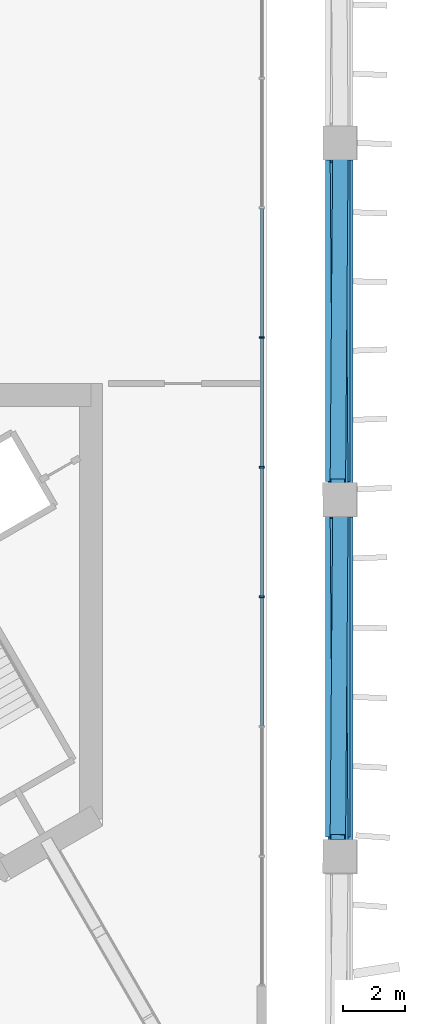
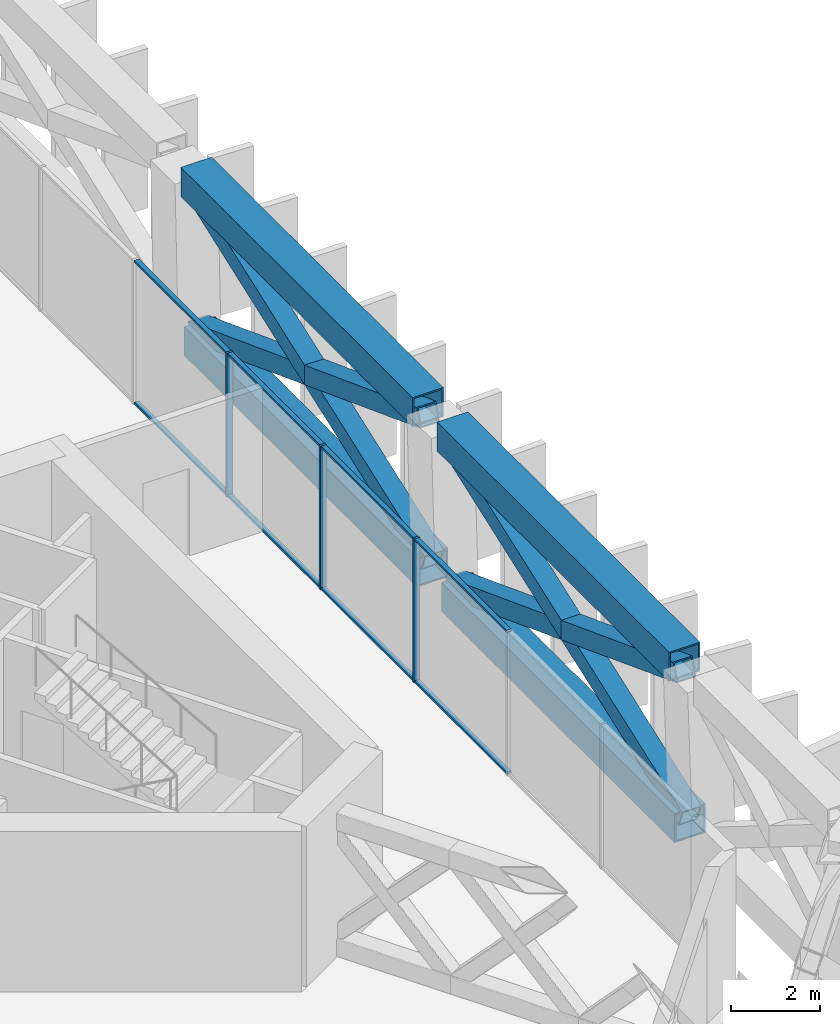
# One storey, part 5 of 17: 19 members, 1 element without a shape of its own.
"""IFC4 building model written with IfcOpenShell, lengths in metres."""

from ifc_helpers import new_model, si_unit, direction, frame, origin, origin_2d, place, context, subcontext, project, spatial, rectangle, hollow_rectangle, extrude, material, layer, layer_set, material_profile, profile_set, type_object, element, aggregate, save


model = new_model("IFC4")

# Units and contexts
model_context = context("Model", 3, precision=1e-05, world=origin(), true_north=direction((0.0, 1.0)))
body_context = subcontext(model_context, "Body", "Model", "MODEL_VIEW")
ifc_project = project(units=[si_unit("LENGTHUNIT", "METRE"), si_unit("AREAUNIT", "SQUARE_METRE"), si_unit("VOLUMEUNIT", "CUBIC_METRE"), si_unit("PLANEANGLEUNIT", "RADIAN"), si_unit("MASSUNIT", "GRAM", prefix="KILO")], contexts=[model_context])

# Site, building, storey
site_placement = place(None, origin())
site = spatial("IfcSite", under=ifc_project, at=site_placement, CompositionType="ELEMENT")
building_placement = place(site_placement, origin())
building = spatial("IfcBuilding", under=site, at=building_placement, Name="Jabali Bay Hotel Tower and Convention Centre", CompositionType="ELEMENT")
storey_placement = place(building_placement, frame((0.0, 0.0, 102.39990234375)))
storey = spatial("IfcBuildingStorey", under=building, at=storey_placement, Name="L24", CompositionType="ELEMENT", Elevation=102.39990234375)

# Members
ifc_material_1 = material(Name="Steel Q420GJC", Category="steel")
ifc_material_profile_1 = material_profile(ifc_material_1, hollow_rectangle(XDim=0.5, YDim=0.5, WallThickness=0.030029296875, at=origin_2d()), Name="Belt brace 500x500x30")
ifc_profile_set_1 = profile_set([ifc_material_profile_1], Name="Steel Q420GJC")
member_type_1 = type_object("IfcMemberType", Name="Belt brace 500x500x30", PredefinedType="BRACE", material=ifc_profile_set_1)
member_1_placement = place(storey_placement, frame((97.584228515625, 57.4140625, 0.20849609375), z_axis=(-0.007165069022, 0.935128356662, 0.35423666997), x_axis=(-0.999970647224, -0.007661898665, 0.0)))
element("IfcMember", 1, at=member_1_placement, inside=storey, type_object=member_type_1, Name="Belt brace T2 F0.1-F0.2 x1", PredefinedType="BRACE", context=body_context, shape_type="SweptSolid", body=[
    extrude(hollow_rectangle(XDim=0.5, YDim=0.5, WallThickness=0.030029296875, at=origin_2d()), origin(), (0.0, 0.0, 1.0), 11.244384765625),
])
member_2_placement = place(storey_placement, frame((97.583984375, 67.882080078125, 0.2109375), z_axis=(-0.007229101466, -0.933674709677, 0.358049265607), x_axis=(0.999970027158, -0.007742401839, 0.0)))
element("IfcMember", 2, at=member_2_placement, inside=storey, type_object=member_type_1, Name="Belt brace T2 F0.1-F0.2 x2", PredefinedType="BRACE", context=body_context, shape_type="SweptSolid", body=[
    extrude(hollow_rectangle(XDim=0.5, YDim=0.5, WallThickness=0.030029296875, at=origin_2d()), origin(), (0.0, 0.0, 1.0), 11.11083984375),
])
member_3_placement = place(storey_placement, frame((97.583984375, 68.98193359375, 0.209228515625), z_axis=(-0.00717163959, 0.934645564439, 0.355508419676), x_axis=(-0.99997056298, -0.007672885585, 0.0)))
element("IfcMember", 3, at=member_3_placement, inside=storey, type_object=member_type_1, Name="Belt brace T2 F0.2-F0.3 x1", PredefinedType="BRACE", context=body_context, shape_type="SweptSolid", body=[
    extrude(hollow_rectangle(XDim=0.5, YDim=0.5, WallThickness=0.030029296875, at=origin_2d()), origin(), (0.0, 0.0, 1.0), 11.199951171875),
])
member_4_placement = place(storey_placement, frame((97.583984375, 79.449951171875, 0.210205078125), z_axis=(-0.007200392372, -0.934168838895, 0.356758650614), x_axis=(0.999970296185, -0.007707577252, 0.0)))
element("IfcMember", 4, at=member_4_placement, inside=storey, type_object=member_type_1, Name="Belt brace T2 F0.2-F0.3 x2", PredefinedType="BRACE", context=body_context, shape_type="SweptSolid", body=[
    extrude(hollow_rectangle(XDim=0.5, YDim=0.5, WallThickness=0.030029296875, at=origin_2d()), origin(), (0.0, 0.0, 1.0), 11.1552734375),
])
ifc_material_profile_2 = material_profile(ifc_material_1, hollow_rectangle(XDim=0.800048828125, YDim=0.800048828125, WallThickness=0.0400390625, at=origin_2d()), Name="Belt chord 800x800x40")
ifc_profile_set_2 = profile_set([ifc_material_profile_2], Name="Steel Q420GJC")
member_type_2 = type_object("IfcMemberType", Name="Belt chord 800x800x40", PredefinedType="CHORD", material=ifc_profile_set_2)
member_5_placement = place(storey_placement, frame((97.58837890625, 57.4140625, 0.0), z_axis=(0.0, 1.0, 0.0), x_axis=(-1.0, 0.0, 0.0)))
element("IfcMember", 5, at=member_5_placement, inside=storey, type_object=member_type_2, Name="Belt chord T2 F0.1-F0.2", PredefinedType="CHORD", context=body_context, shape_type="SweptSolid", body=[
    extrude(hollow_rectangle(XDim=0.800048828125, YDim=0.800048828125, WallThickness=0.0400390625, at=origin_2d()), origin(), (0.0, 0.0, 1.0), 10.468017578125),
])
member_6_placement = place(storey_placement, frame((97.58837890625, 68.982177734375, 0.0), z_axis=(0.0, 1.0, 0.0), x_axis=(-1.0, 0.0, 0.0)))
element("IfcMember", 6, at=member_6_placement, inside=storey, type_object=member_type_2, Name="Belt chord T2 F0.2-F0.3", PredefinedType="CHORD", context=body_context, shape_type="SweptSolid", body=[
    extrude(hollow_rectangle(XDim=0.800048828125, YDim=0.800048828125, WallThickness=0.0400390625, at=origin_2d()), origin(), (0.0, 0.0, 1.0), 10.4677734375),
])
for number, where, z_axis, x_axis, name in (
    (7, (97.49951171875, 57.508056640625, 4.400146484375), (0.0, 1.0, 0.0), (-1.0, 0.0, 0.0), "Belt chord T2 F0.1-F0.2"),
    (8, (97.49951171875, 69.029052734375, 4.400146484375), (0.0, 1.0, 0.0), (-1.0, 0.0, 0.0), "Belt chord T2 F0.2-F0.3"),
):
    element("IfcMember", number, at=place(storey_placement, frame(where, z_axis=z_axis, x_axis=x_axis)), inside=storey, type_object=member_type_2, Name=name, PredefinedType="CHORD", context=body_context, shape_type="SweptSolid", body=[
        extrude(hollow_rectangle(XDim=0.800048828125, YDim=0.800048828125, WallThickness=0.0400390625, at=origin_2d()), origin(), (0.0, 0.0, 1.0), 10.4208984375),
    ])

# Curtain wall, members
ifc_material_2 = material(Name="Aluminium and glass", Category="aluminium")
ifc_layer = layer(ifc_material_2, 0.159912109375)
ifc_layer_set = layer_set([ifc_layer], Name="Aluminium and glass")
curtain_wall_type = type_object("IfcCurtainWallType", Name="CW3 curtain wall", PredefinedType="NOTDEFINED", material=ifc_layer_set)
curtain_wall_placement = place(storey_placement, origin())
curtain_wall = element("IfcCurtainWall", 9, at=curtain_wall_placement, inside=storey, type_object=curtain_wall_type, Name="CW3 curtain wall east face L24", PredefinedType="NOTDEFINED")
ifc_material_3 = material(Name="Aluminium", Category="aluminium")
ifc_material_profile_3 = material_profile(ifc_material_3, rectangle(XDim=0.159912109375, YDim=0.06005859375, at=origin_2d()), Name="CW3 mullion 60 x 160")
ifc_profile_set_3 = profile_set([ifc_material_profile_3], Name="Aluminium")
member_type_3 = type_object("IfcMemberType", Name="CW3 mullion 60 x 160", PredefinedType="MULLION", material=ifc_profile_set_3)
member_7_placement = place(storey_placement, frame((95.038330078125, 73.697509765625, 0.0), z_axis=(0.0, 0.0, 1.0), x_axis=(1.0, 0.0, 0.0)))
member_7 = element("IfcMember", 10, at=member_7_placement, type_object=member_type_3, Name="CW3 mullion 9", PredefinedType="MULLION", context=body_context, shape_type="SweptSolid", body=[
    extrude(rectangle(XDim=0.159912109375, YDim=0.06005859375, at=origin_2d()), origin(), (0.0, 0.0, 1.0), 3.9501953125),
])
member_8_placement = place(storey_placement, frame((95.038330078125, 69.49560546875, 0.0), z_axis=(0.0, 0.0, 1.0), x_axis=(1.0, 0.0, 0.0)))
member_8 = element("IfcMember", 11, at=member_8_placement, type_object=member_type_3, Name="CW3 mullion 10", PredefinedType="MULLION", context=body_context, shape_type="SweptSolid", body=[
    extrude(rectangle(XDim=0.159912109375, YDim=0.06005859375, at=origin_2d()), origin(), (0.0, 0.0, 1.0), 3.9501953125),
])
member_9_placement = place(storey_placement, frame((95.038330078125, 65.2939453125, 0.0), z_axis=(0.0, 0.0, 1.0), x_axis=(1.0, 0.0, 0.0)))
member_9 = element("IfcMember", 12, at=member_9_placement, type_object=member_type_3, Name="CW3 mullion 11", PredefinedType="MULLION", context=body_context, shape_type="SweptSolid", body=[
    extrude(rectangle(XDim=0.159912109375, YDim=0.06005859375, at=origin_2d()), origin(), (0.0, 0.0, 1.0), 3.9501953125),
])
ifc_material_profile_4 = material_profile(ifc_material_3, rectangle(XDim=0.1201171875, YDim=0.06005859375, at=origin_2d()), Name="CW3 transom 60 x 120")
ifc_profile_set_4 = profile_set([ifc_material_profile_4], Name="Aluminium")
member_type_4 = type_object("IfcMemberType", Name="CW3 transom 60 x 120", PredefinedType="USERDEFINED", material=ifc_profile_set_4)
member_10_placement = place(storey_placement, frame((95.038330078125, 77.869140625, 0.030029296875), z_axis=(0.0, -1.0, 0.0), x_axis=(1.0, 0.0, 0.0)))
member_10 = element("IfcMember", 13, at=member_10_placement, type_object=member_type_4, Name="CW3 transom 8.1", ObjectType="TRANSOM", PredefinedType="USERDEFINED", context=body_context, shape_type="SweptSolid", body=[
    extrude(rectangle(XDim=0.1201171875, YDim=0.06005859375, at=origin_2d()), origin(), (0.0, 0.0, 1.0), 4.141845703125),
])
member_11_placement = place(storey_placement, frame((95.038330078125, 77.869140625, 3.920166015625), z_axis=(0.0, -1.0, 0.0), x_axis=(1.0, 0.0, 0.0)))
member_11 = element("IfcMember", 14, at=member_11_placement, type_object=member_type_4, Name="CW3 transom 8.2", ObjectType="TRANSOM", PredefinedType="USERDEFINED", context=body_context, shape_type="SweptSolid", body=[
    extrude(rectangle(XDim=0.1201171875, YDim=0.06005859375, at=origin_2d()), origin(), (0.0, 0.0, 1.0), 4.141845703125),
])
member_12_placement = place(storey_placement, frame((95.038330078125, 73.66748046875, 0.030029296875), z_axis=(0.0, -1.0, 0.0), x_axis=(1.0, 0.0, 0.0)))
member_12 = element("IfcMember", 15, at=member_12_placement, type_object=member_type_4, Name="CW3 transom 9.1", ObjectType="TRANSOM", PredefinedType="USERDEFINED", context=body_context, shape_type="SweptSolid", body=[
    extrude(rectangle(XDim=0.1201171875, YDim=0.06005859375, at=origin_2d()), origin(), (0.0, 0.0, 1.0), 4.141845703125),
])
member_13_placement = place(storey_placement, frame((95.038330078125, 73.66748046875, 3.920166015625), z_axis=(0.0, -1.0, 0.0), x_axis=(1.0, 0.0, 0.0)))
member_13 = element("IfcMember", 16, at=member_13_placement, type_object=member_type_4, Name="CW3 transom 9.2", ObjectType="TRANSOM", PredefinedType="USERDEFINED", context=body_context, shape_type="SweptSolid", body=[
    extrude(rectangle(XDim=0.1201171875, YDim=0.06005859375, at=origin_2d()), origin(), (0.0, 0.0, 1.0), 4.141845703125),
])
member_14_placement = place(storey_placement, frame((95.038330078125, 69.465576171875, 0.030029296875), z_axis=(0.0, -1.0, 0.0), x_axis=(1.0, 0.0, 0.0)))
member_14 = element("IfcMember", 17, at=member_14_placement, type_object=member_type_4, Name="CW3 transom 10.1", ObjectType="TRANSOM", PredefinedType="USERDEFINED", context=body_context, shape_type="SweptSolid", body=[
    extrude(rectangle(XDim=0.1201171875, YDim=0.06005859375, at=origin_2d()), origin(), (0.0, 0.0, 1.0), 4.1416015625),
])
member_15_placement = place(storey_placement, frame((95.038330078125, 69.465576171875, 3.920166015625), z_axis=(0.0, -1.0, 0.0), x_axis=(1.0, 0.0, 0.0)))
member_15 = element("IfcMember", 18, at=member_15_placement, type_object=member_type_4, Name="CW3 transom 10.2", ObjectType="TRANSOM", PredefinedType="USERDEFINED", context=body_context, shape_type="SweptSolid", body=[
    extrude(rectangle(XDim=0.1201171875, YDim=0.06005859375, at=origin_2d()), origin(), (0.0, 0.0, 1.0), 4.1416015625),
])
member_16_placement = place(storey_placement, frame((95.038330078125, 65.263916015625, 0.030029296875), z_axis=(0.0, -1.0, 0.0), x_axis=(1.0, 0.0, 0.0)))
member_16 = element("IfcMember", 19, at=member_16_placement, type_object=member_type_4, Name="CW3 transom 11.1", ObjectType="TRANSOM", PredefinedType="USERDEFINED", context=body_context, shape_type="SweptSolid", body=[
    extrude(rectangle(XDim=0.1201171875, YDim=0.06005859375, at=origin_2d()), origin(), (0.0, 0.0, 1.0), 4.1416015625),
])
member_17_placement = place(storey_placement, frame((95.038330078125, 65.263916015625, 3.920166015625), z_axis=(0.0, -1.0, 0.0), x_axis=(1.0, 0.0, 0.0)))
member_17 = element("IfcMember", 20, at=member_17_placement, type_object=member_type_4, Name="CW3 transom 11.2", ObjectType="TRANSOM", PredefinedType="USERDEFINED", context=body_context, shape_type="SweptSolid", body=[
    extrude(rectangle(XDim=0.1201171875, YDim=0.06005859375, at=origin_2d()), origin(), (0.0, 0.0, 1.0), 4.1416015625),
])
aggregate(curtain_wall, [member_7, member_8, member_9, member_10, member_11, member_12, member_13, member_14, member_15, member_16, member_17])

save(model, "model.ifc")
